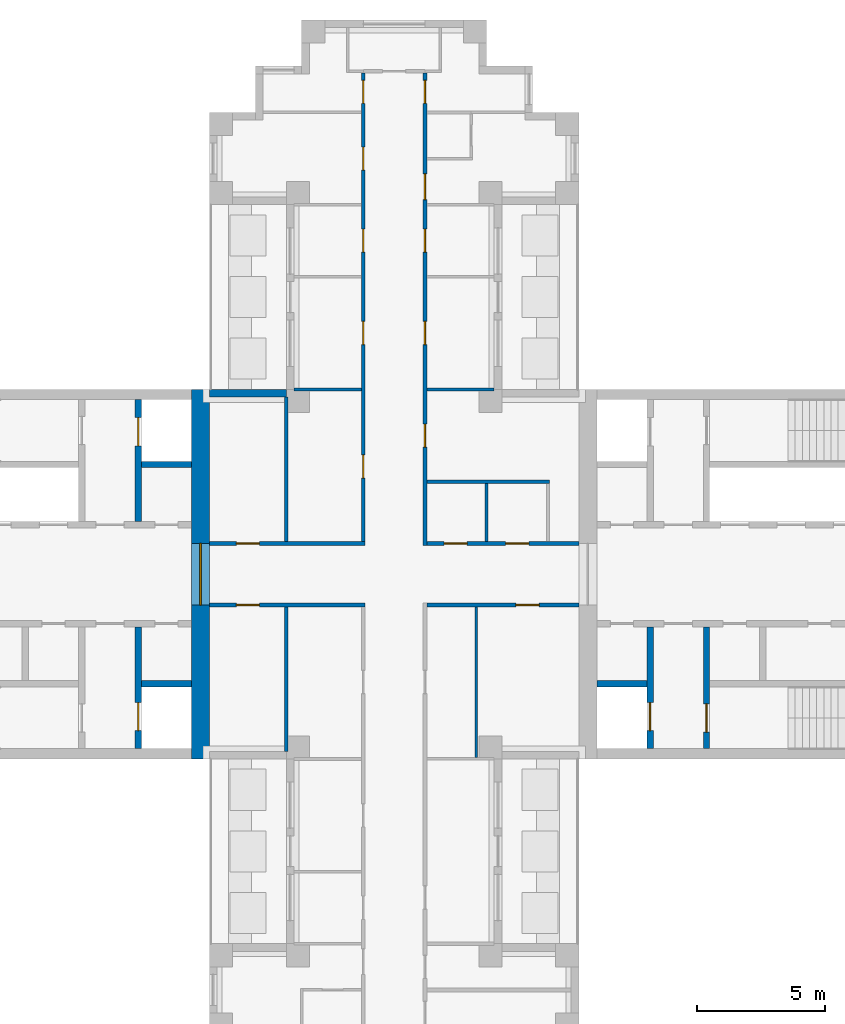
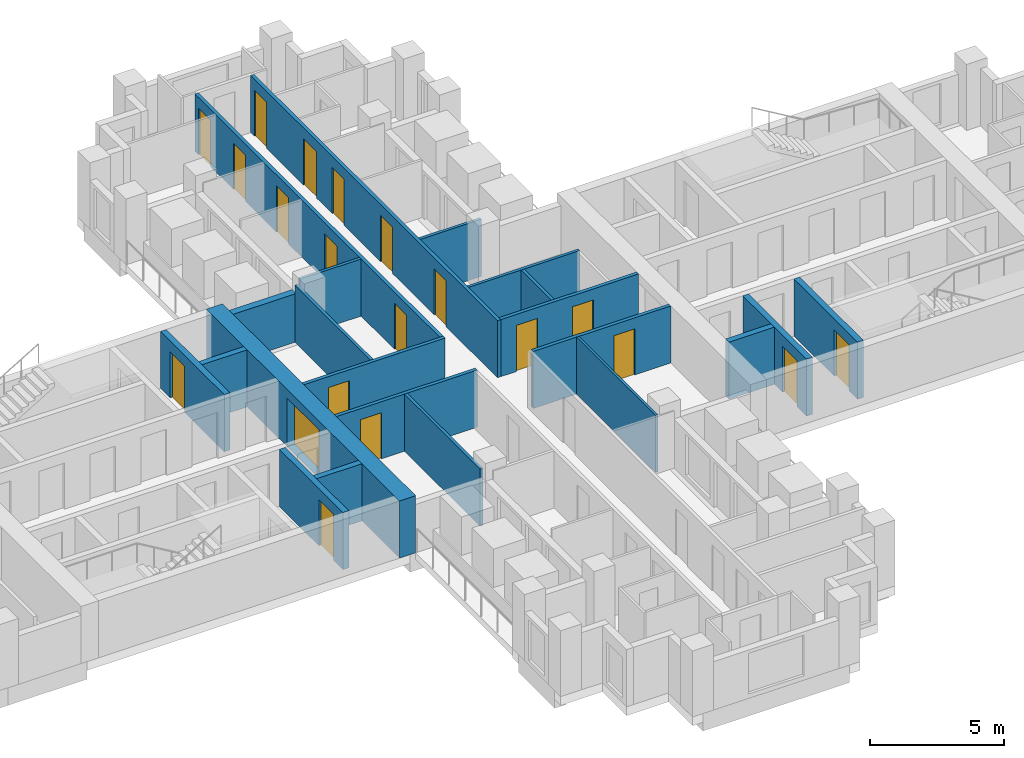
# One storey, part 5 of 10: 22 walls, 20 doors, 20 openings.
"""IFC4 building model written with IfcOpenShell, lengths in metres."""

from ifc_helpers import new_model, si_unit, direction, frame, frame_2d, origin, place, context, subcontext, project, spatial, rectangle, extrude, material, layer, layer_set, type_object, element, fill, save


model = new_model("IFC4")

# Units and contexts
model_context = context("Model", 3, precision=1e-05, world=origin(), true_north=direction((0.0, 1.0)))
body_context = subcontext(model_context, "Body", "Model", "MODEL_VIEW")
ifc_project = project(units=[si_unit("LENGTHUNIT", "METRE"), si_unit("AREAUNIT", "SQUARE_METRE"), si_unit("VOLUMEUNIT", "CUBIC_METRE"), si_unit("PLANEANGLEUNIT", "RADIAN"), si_unit("MASSUNIT", "GRAM", prefix="KILO")], contexts=[model_context])

# Site, building, storey
site_placement = place(None, origin())
site = spatial("IfcSite", under=ifc_project, at=site_placement, CompositionType="ELEMENT")
building_placement = place(site_placement, origin())
building = spatial("IfcBuilding", under=site, at=building_placement, Name="Fustian Cross Tower", CompositionType="ELEMENT")
storey_placement = place(building_placement, frame((0.0, 0.0, 182.699951171875)))
storey = spatial("IfcBuildingStorey", under=building, at=storey_placement, Name="L57", CompositionType="ELEMENT", Elevation=182.699951171875)

# Wall, opening, door
ifc_material_1 = material(Name="Plasterboard on steel stud", Category="steel")
ifc_layer_1 = layer(ifc_material_1, 0.14990234375)
ifc_layer_set_1 = layer_set([ifc_layer_1], Name="Plasterboard on steel stud")
wall_type_1 = type_object("IfcWallType", Name="COMPARTMENT WALL 150 EI 60", PredefinedType="PARTITIONING", material=ifc_layer_set_1)
wall_1_placement = place(storey_placement, frame((-7.199951171875, -1.199951171875, 0.0), z_axis=(0.0, 0.0, 1.0), x_axis=(1.0, 0.0, 0.0)))
wall_1 = element("IfcWall", 1, at=wall_1_placement, inside=storey, type_object=wall_type_1, Name="Partition 13", PredefinedType="PARTITIONING", context=body_context, shape_type="SweptSolid", body=[
    extrude(rectangle(XDim=6.074951171875, YDim=0.14990234375, at=frame_2d((3.03759765625, 0.0))), origin(), (0.0, 0.0, 1.0), 2.60009765625),
])
opening_1_placement = place(wall_1_placement, frame((1.050048828125, 0.0, 0.0)))
opening_1 = element("IfcOpeningElement", 2, at=opening_1_placement, cuts=wall_1, Name="Opening D26009", PredefinedType="OPENING", context=body_context, shape_type="SweptSolid", body=[
    extrude(rectangle(XDim=0.89990234375, YDim=2.10009765625, at=frame_2d((0.449951171875, 1.050048828125))), frame((0.0, 0.0849609375, 0.0), z_axis=(0.0, -1.0, 0.0), x_axis=(1.0, 0.0, 0.0)), (0.0, 0.0, 1.0), 0.169921875),
])
ifc_material_2 = material(Name="Timber fire door set", Category="wood")
door_type_1 = type_object("IfcDoorType", Name="FIRE SWING DOOR 900 FD30S", OperationType="SINGLE_SWING_LEFT", PredefinedType="DOOR", material=ifc_material_2)
door_1_placement = place(opening_1_placement, frame((0.89990234375, 0.0, 0.0), z_axis=(0.0, 0.0, 1.0), x_axis=(-1.0, 0.0, 0.0)))
door_1 = element("IfcDoor", 3, at=door_1_placement, inside=storey, type_object=door_type_1, Name="Door D26009", OperationType="SINGLE_SWING_LEFT", OverallHeight=2.10009765625, OverallWidth=0.89990234375, PredefinedType="DOOR", context=body_context, shape_type="SweptSolid", body=[
    extrude(rectangle(XDim=0.89990234375, YDim=2.10009765625, at=frame_2d((0.449951171875, 1.050048828125))), frame((0.0, 0.02490234375, 0.0), z_axis=(0.0, -1.0, 0.0), x_axis=(1.0, 0.0, 0.0)), (0.0, 0.0, 1.0), 0.050048828125),
])
fill(opening_1, door_1)

wall_2_placement = place(storey_placement, frame((-7.199951171875, 1.199951171875, 0.0), z_axis=(0.0, 0.0, 1.0), x_axis=(1.0, 0.0, 0.0)))
wall_2 = element("IfcWall", 4, at=wall_2_placement, inside=storey, type_object=wall_type_1, Name="Partition 14", PredefinedType="PARTITIONING", context=body_context, shape_type="SweptSolid", body=[
    extrude(rectangle(XDim=6.074951171875, YDim=0.14990234375, at=frame_2d((3.03759765625, 0.0))), origin(), (0.0, 0.0, 1.0), 2.60009765625),
])
opening_2_placement = place(wall_2_placement, frame((1.050048828125, 0.0, 0.0)))
opening_2 = element("IfcOpeningElement", 5, at=opening_2_placement, cuts=wall_2, Name="Opening D26005", PredefinedType="OPENING", context=body_context, shape_type="SweptSolid", body=[
    extrude(rectangle(XDim=0.89990234375, YDim=2.10009765625, at=frame_2d((0.449951171875, 1.050048828125))), frame((0.0, 0.0849609375, 0.0), z_axis=(0.0, -1.0, 0.0), x_axis=(1.0, 0.0, 0.0)), (0.0, 0.0, 1.0), 0.169921875),
])
door_2_placement = place(opening_2_placement, origin())
door_2 = element("IfcDoor", 6, at=door_2_placement, inside=storey, type_object=door_type_1, Name="Door D26005", OperationType="SINGLE_SWING_RIGHT", OverallHeight=2.10009765625, OverallWidth=0.89990234375, PredefinedType="DOOR", context=body_context, shape_type="SweptSolid", body=[
    extrude(rectangle(XDim=0.89990234375, YDim=2.10009765625, at=frame_2d((0.449951171875, 1.050048828125))), frame((0.0, 0.02490234375, 0.0), z_axis=(0.0, -1.0, 0.0), x_axis=(1.0, 0.0, 0.0)), (0.0, 0.0, 1.0), 0.050048828125),
])
fill(opening_2, door_2)

# Wall, openings, doors
wall_3_placement = place(storey_placement, frame((-1.199951171875, 1.27490234375, 0.0), z_axis=(0.0, 0.0, 1.0), x_axis=(0.0, 1.0, 0.0)))
wall_3 = element("IfcWall", 7, at=wall_3_placement, inside=storey, type_object=wall_type_1, Name="Partition 33", PredefinedType="PARTITIONING", context=body_context, shape_type="SweptSolid", body=[
    extrude(rectangle(XDim=18.25, YDim=0.14990234375, at=frame_2d((9.125, 0.0))), origin(), (0.0, 0.0, 1.0), 2.60009765625),
])
opening_3_placement = place(wall_3_placement, frame((2.47509765625, 0.0, 0.0)))
opening_3 = element("IfcOpeningElement", 8, at=opening_3_placement, cuts=wall_3, Name="Opening D26004", PredefinedType="OPENING", context=body_context, shape_type="SweptSolid", body=[
    extrude(rectangle(XDim=0.89990234375, YDim=2.10009765625, at=frame_2d((0.449951171875, 1.050048828125))), frame((0.0, 0.0849609375, 0.0), z_axis=(0.0, -1.0, 0.0), x_axis=(1.0, 0.0, 0.0)), (0.0, 0.0, 1.0), 0.169921875),
])
opening_4_placement = place(wall_3_placement, frame((11.27490234375, 0.0, 0.0)))
opening_4 = element("IfcOpeningElement", 9, at=opening_4_placement, cuts=wall_3, Name="Opening D26018", PredefinedType="OPENING", context=body_context, shape_type="SweptSolid", body=[
    extrude(rectangle(XDim=0.89990234375, YDim=2.10009765625, at=frame_2d((0.449951171875, 1.050048828125))), frame((0.0, 0.0849609375, 0.0), z_axis=(0.0, -1.0, 0.0), x_axis=(1.0, 0.0, 0.0)), (0.0, 0.0, 1.0), 0.169921875),
])
opening_5_placement = place(wall_3_placement, frame((7.675048828125, 0.0, 0.0)))
opening_5 = element("IfcOpeningElement", 10, at=opening_5_placement, cuts=wall_3, Name="Opening D26019", PredefinedType="OPENING", context=body_context, shape_type="SweptSolid", body=[
    extrude(rectangle(XDim=0.89990234375, YDim=2.10009765625, at=frame_2d((0.449951171875, 1.050048828125))), frame((0.0, 0.0849609375, 0.0), z_axis=(0.0, -1.0, 0.0), x_axis=(1.0, 0.0, 0.0)), (0.0, 0.0, 1.0), 0.169921875),
])
opening_6_placement = place(wall_3_placement, frame((14.47509765625, 0.0, 0.0)))
opening_6 = element("IfcOpeningElement", 11, at=opening_6_placement, cuts=wall_3, Name="Opening D26020", PredefinedType="OPENING", context=body_context, shape_type="SweptSolid", body=[
    extrude(rectangle(XDim=0.89990234375, YDim=2.10009765625, at=frame_2d((0.449951171875, 1.050048828125))), frame((0.0, 0.0849609375, 0.0), z_axis=(0.0, -1.0, 0.0), x_axis=(1.0, 0.0, 0.0)), (0.0, 0.0, 1.0), 0.169921875),
])
opening_7_placement = place(wall_3_placement, frame((17.074951171875, 0.0, 0.0)))
opening_7 = element("IfcOpeningElement", 12, at=opening_7_placement, cuts=wall_3, Name="Opening D26021", PredefinedType="OPENING", context=body_context, shape_type="SweptSolid", body=[
    extrude(rectangle(XDim=0.89990234375, YDim=2.10009765625, at=frame_2d((0.449951171875, 1.050048828125))), frame((0.0, 0.0849609375, 0.0), z_axis=(0.0, -1.0, 0.0), x_axis=(1.0, 0.0, 0.0)), (0.0, 0.0, 1.0), 0.169921875),
])
door_3_placement = place(opening_3_placement, origin())
door_3 = element("IfcDoor", 13, at=door_3_placement, inside=storey, type_object=door_type_1, Name="Door D26004", OperationType="SINGLE_SWING_LEFT", OverallHeight=2.10009765625, OverallWidth=0.89990234375, PredefinedType="DOOR", context=body_context, shape_type="SweptSolid", body=[
    extrude(rectangle(XDim=0.89990234375, YDim=2.10009765625, at=frame_2d((0.449951171875, 1.050048828125))), frame((0.0, 0.02490234375, 0.0), z_axis=(0.0, -1.0, 0.0), x_axis=(1.0, 0.0, 0.0)), (0.0, 0.0, 1.0), 0.050048828125),
])
fill(opening_3, door_3)
door_4_placement = place(opening_4_placement, origin())
door_4 = element("IfcDoor", 14, at=door_4_placement, inside=storey, type_object=door_type_1, Name="Door D26018", OperationType="SINGLE_SWING_LEFT", OverallHeight=2.10009765625, OverallWidth=0.89990234375, PredefinedType="DOOR", context=body_context, shape_type="SweptSolid", body=[
    extrude(rectangle(XDim=0.89990234375, YDim=2.10009765625, at=frame_2d((0.449951171875, 1.050048828125))), frame((0.0, 0.02490234375, 0.0), z_axis=(0.0, -1.0, 0.0), x_axis=(1.0, 0.0, 0.0)), (0.0, 0.0, 1.0), 0.050048828125),
])
fill(opening_4, door_4)
door_5_placement = place(opening_5_placement, origin())
door_5 = element("IfcDoor", 15, at=door_5_placement, inside=storey, type_object=door_type_1, Name="Door D26019", OperationType="SINGLE_SWING_LEFT", OverallHeight=2.10009765625, OverallWidth=0.89990234375, PredefinedType="DOOR", context=body_context, shape_type="SweptSolid", body=[
    extrude(rectangle(XDim=0.89990234375, YDim=2.10009765625, at=frame_2d((0.449951171875, 1.050048828125))), frame((0.0, 0.02490234375, 0.0), z_axis=(0.0, -1.0, 0.0), x_axis=(1.0, 0.0, 0.0)), (0.0, 0.0, 1.0), 0.050048828125),
])
fill(opening_5, door_5)
door_6_placement = place(opening_6_placement, origin())
door_6 = element("IfcDoor", 16, at=door_6_placement, inside=storey, type_object=door_type_1, Name="Door D26020", OperationType="SINGLE_SWING_LEFT", OverallHeight=2.10009765625, OverallWidth=0.89990234375, PredefinedType="DOOR", context=body_context, shape_type="SweptSolid", body=[
    extrude(rectangle(XDim=0.89990234375, YDim=2.10009765625, at=frame_2d((0.449951171875, 1.050048828125))), frame((0.0, 0.02490234375, 0.0), z_axis=(0.0, -1.0, 0.0), x_axis=(1.0, 0.0, 0.0)), (0.0, 0.0, 1.0), 0.050048828125),
])
fill(opening_6, door_6)
door_7_placement = place(opening_7_placement, origin())
door_7 = element("IfcDoor", 17, at=door_7_placement, inside=storey, type_object=door_type_1, Name="Door D26021", OperationType="SINGLE_SWING_LEFT", OverallHeight=2.10009765625, OverallWidth=0.89990234375, PredefinedType="DOOR", context=body_context, shape_type="SweptSolid", body=[
    extrude(rectangle(XDim=0.89990234375, YDim=2.10009765625, at=frame_2d((0.449951171875, 1.050048828125))), frame((0.0, 0.02490234375, 0.0), z_axis=(0.0, -1.0, 0.0), x_axis=(1.0, 0.0, 0.0)), (0.0, 0.0, 1.0), 0.050048828125),
])
fill(opening_7, door_7)

# Wall, opening, door
wall_4_placement = place(storey_placement, frame((1.27490234375, -1.199951171875, 0.0), z_axis=(0.0, 0.0, 1.0), x_axis=(1.0, 0.0, 0.0)))
wall_4 = element("IfcWall", 18, at=wall_4_placement, inside=storey, type_object=wall_type_1, Name="Partition 41", PredefinedType="PARTITIONING", context=body_context, shape_type="SweptSolid", body=[
    extrude(rectangle(XDim=5.925048828125, YDim=0.14990234375, at=frame_2d((2.96240234375, 0.0))), origin(), (0.0, 0.0, 1.0), 2.60009765625),
])
opening_8_placement = place(wall_4_placement, frame((3.47509765625, 0.0, 0.0)))
opening_8 = element("IfcOpeningElement", 19, at=opening_8_placement, cuts=wall_4, Name="Opening D26007", PredefinedType="OPENING", context=body_context, shape_type="SweptSolid", body=[
    extrude(rectangle(XDim=0.89990234375, YDim=2.10009765625, at=frame_2d((0.449951171875, 1.050048828125))), frame((0.0, 0.0849609375, 0.0), z_axis=(0.0, -1.0, 0.0), x_axis=(1.0, 0.0, 0.0)), (0.0, 0.0, 1.0), 0.169921875),
])
door_8_placement = place(opening_8_placement, frame((0.89990234375, 0.0, 0.0), z_axis=(0.0, 0.0, 1.0), x_axis=(-1.0, 0.0, 0.0)))
door_8 = element("IfcDoor", 20, at=door_8_placement, inside=storey, type_object=door_type_1, Name="Door D26007", OperationType="SINGLE_SWING_RIGHT", OverallHeight=2.10009765625, OverallWidth=0.89990234375, PredefinedType="DOOR", context=body_context, shape_type="SweptSolid", body=[
    extrude(rectangle(XDim=0.89990234375, YDim=2.10009765625, at=frame_2d((0.449951171875, 1.050048828125))), frame((0.0, 0.02490234375, 0.0), z_axis=(0.0, -1.0, 0.0), x_axis=(1.0, 0.0, 0.0)), (0.0, 0.0, 1.0), 0.050048828125),
])
fill(opening_8, door_8)

# Wall, openings, doors
wall_5_placement = place(storey_placement, frame((1.199951171875, 1.125, 0.0), z_axis=(0.0, 0.0, 1.0), x_axis=(0.0, 1.0, 0.0)))
wall_5 = element("IfcWall", 21, at=wall_5_placement, inside=storey, type_object=wall_type_1, Name="Partition 42", PredefinedType="PARTITIONING", context=body_context, shape_type="SweptSolid", body=[
    extrude(rectangle(XDim=18.39990234375, YDim=0.14990234375, at=frame_2d((9.199951171875, 0.0))), origin(), (0.0, 0.0, 1.0), 2.60009765625),
])
opening_9_placement = place(wall_5_placement, frame((3.824951171875, 0.0, 0.0)))
opening_9 = element("IfcOpeningElement", 22, at=opening_9_placement, cuts=wall_5, Name="Opening D26003", PredefinedType="OPENING", context=body_context, shape_type="SweptSolid", body=[
    extrude(rectangle(XDim=0.89990234375, YDim=2.10009765625, at=frame_2d((0.449951171875, 1.050048828125))), frame((0.0, 0.0849609375, 0.0), z_axis=(0.0, -1.0, 0.0), x_axis=(1.0, 0.0, 0.0)), (0.0, 0.0, 1.0), 0.169921875),
])
opening_10_placement = place(wall_5_placement, frame((11.425048828125, 0.0, 0.0)))
opening_10 = element("IfcOpeningElement", 23, at=opening_10_placement, cuts=wall_5, Name="Opening D26022", PredefinedType="OPENING", context=body_context, shape_type="SweptSolid", body=[
    extrude(rectangle(XDim=0.89990234375, YDim=2.10009765625, at=frame_2d((0.449951171875, 1.050048828125))), frame((0.0, 0.0849609375, 0.0), z_axis=(0.0, -1.0, 0.0), x_axis=(1.0, 0.0, 0.0)), (0.0, 0.0, 1.0), 0.169921875),
])
opening_11_placement = place(wall_5_placement, frame((7.824951171875, 0.0, 0.0)))
opening_11 = element("IfcOpeningElement", 24, at=opening_11_placement, cuts=wall_5, Name="Opening D26023", PredefinedType="OPENING", context=body_context, shape_type="SweptSolid", body=[
    extrude(rectangle(XDim=0.89990234375, YDim=2.10009765625, at=frame_2d((0.449951171875, 1.050048828125))), frame((0.0, 0.0849609375, 0.0), z_axis=(0.0, -1.0, 0.0), x_axis=(1.0, 0.0, 0.0)), (0.0, 0.0, 1.0), 0.169921875),
])
opening_12_placement = place(wall_5_placement, frame((13.47509765625, 0.0, 0.0)))
opening_12 = element("IfcOpeningElement", 25, at=opening_12_placement, cuts=wall_5, Name="Opening D26025", PredefinedType="OPENING", context=body_context, shape_type="SweptSolid", body=[
    extrude(rectangle(XDim=1.0, YDim=2.10009765625, at=frame_2d((0.5, 1.050048828125))), frame((0.0, 0.0849609375, 0.0), z_axis=(0.0, -1.0, 0.0), x_axis=(1.0, 0.0, 0.0)), (0.0, 0.0, 1.0), 0.169921875),
])
opening_13_placement = place(wall_5_placement, frame((17.22509765625, 0.0, 0.0)))
opening_13 = element("IfcOpeningElement", 26, at=opening_13_placement, cuts=wall_5, Name="Opening D26026", PredefinedType="OPENING", context=body_context, shape_type="SweptSolid", body=[
    extrude(rectangle(XDim=0.89990234375, YDim=2.10009765625, at=frame_2d((0.449951171875, 1.050048828125))), frame((0.0, 0.0849609375, 0.0), z_axis=(0.0, -1.0, 0.0), x_axis=(1.0, 0.0, 0.0)), (0.0, 0.0, 1.0), 0.169921875),
])
ifc_material_3 = material(Name="Timber fire door set", Category="wood")
door_type_2 = type_object("IfcDoorType", Name="FIRE SWING DOOR 1000 FD30S", OperationType="SINGLE_SWING_LEFT", PredefinedType="DOOR", material=ifc_material_3)
door_9_placement = place(opening_12_placement, frame((1.0, 0.0, 0.0), z_axis=(0.0, 0.0, 1.0), x_axis=(-1.0, 0.0, 0.0)))
door_9 = element("IfcDoor", 27, at=door_9_placement, inside=storey, type_object=door_type_2, Name="Door D26025", OperationType="SINGLE_SWING_RIGHT", OverallHeight=2.10009765625, OverallWidth=1.0, PredefinedType="DOOR", context=body_context, shape_type="SweptSolid", body=[
    extrude(rectangle(XDim=1.0, YDim=2.10009765625, at=frame_2d((0.5, 1.050048828125))), frame((0.0, 0.02490234375, 0.0), z_axis=(0.0, -1.0, 0.0), x_axis=(1.0, 0.0, 0.0)), (0.0, 0.0, 1.0), 0.050048828125),
])
fill(opening_12, door_9)
door_10_placement = place(opening_9_placement, frame((0.89990234375, 0.0, 0.0), z_axis=(0.0, 0.0, 1.0), x_axis=(-1.0, 0.0, 0.0)))
door_10 = element("IfcDoor", 28, at=door_10_placement, inside=storey, type_object=door_type_1, Name="Door D26003", OperationType="SINGLE_SWING_RIGHT", OverallHeight=2.10009765625, OverallWidth=0.89990234375, PredefinedType="DOOR", context=body_context, shape_type="SweptSolid", body=[
    extrude(rectangle(XDim=0.89990234375, YDim=2.10009765625, at=frame_2d((0.449951171875, 1.050048828125))), frame((0.0, 0.02490234375, 0.0), z_axis=(0.0, -1.0, 0.0), x_axis=(1.0, 0.0, 0.0)), (0.0, 0.0, 1.0), 0.050048828125),
])
fill(opening_9, door_10)
door_11_placement = place(opening_10_placement, frame((0.89990234375, 0.0, 0.0), z_axis=(0.0, 0.0, 1.0), x_axis=(-1.0, 0.0, 0.0)))
door_11 = element("IfcDoor", 29, at=door_11_placement, inside=storey, type_object=door_type_1, Name="Door D26022", OperationType="SINGLE_SWING_RIGHT", OverallHeight=2.10009765625, OverallWidth=0.89990234375, PredefinedType="DOOR", context=body_context, shape_type="SweptSolid", body=[
    extrude(rectangle(XDim=0.89990234375, YDim=2.10009765625, at=frame_2d((0.449951171875, 1.050048828125))), frame((0.0, 0.02490234375, 0.0), z_axis=(0.0, -1.0, 0.0), x_axis=(1.0, 0.0, 0.0)), (0.0, 0.0, 1.0), 0.050048828125),
])
fill(opening_10, door_11)
door_12_placement = place(opening_11_placement, frame((0.89990234375, 0.0, 0.0), z_axis=(0.0, 0.0, 1.0), x_axis=(-1.0, 0.0, 0.0)))
door_12 = element("IfcDoor", 30, at=door_12_placement, inside=storey, type_object=door_type_1, Name="Door D26023", OperationType="SINGLE_SWING_RIGHT", OverallHeight=2.10009765625, OverallWidth=0.89990234375, PredefinedType="DOOR", context=body_context, shape_type="SweptSolid", body=[
    extrude(rectangle(XDim=0.89990234375, YDim=2.10009765625, at=frame_2d((0.449951171875, 1.050048828125))), frame((0.0, 0.02490234375, 0.0), z_axis=(0.0, -1.0, 0.0), x_axis=(1.0, 0.0, 0.0)), (0.0, 0.0, 1.0), 0.050048828125),
])
fill(opening_11, door_12)
door_13_placement = place(opening_13_placement, frame((0.89990234375, 0.0, 0.0), z_axis=(0.0, 0.0, 1.0), x_axis=(-1.0, 0.0, 0.0)))
door_13 = element("IfcDoor", 31, at=door_13_placement, inside=storey, type_object=door_type_1, Name="Door D26026", OperationType="SINGLE_SWING_RIGHT", OverallHeight=2.10009765625, OverallWidth=0.89990234375, PredefinedType="DOOR", context=body_context, shape_type="SweptSolid", body=[
    extrude(rectangle(XDim=0.89990234375, YDim=2.10009765625, at=frame_2d((0.449951171875, 1.050048828125))), frame((0.0, 0.02490234375, 0.0), z_axis=(0.0, -1.0, 0.0), x_axis=(1.0, 0.0, 0.0)), (0.0, 0.0, 1.0), 0.050048828125),
])
fill(opening_13, door_13)

wall_6_placement = place(storey_placement, frame((1.27490234375, 1.199951171875, 0.0), z_axis=(0.0, 0.0, 1.0), x_axis=(1.0, 0.0, 0.0)))
wall_6 = element("IfcWall", 32, at=wall_6_placement, inside=storey, type_object=wall_type_1, Name="Partition 43", PredefinedType="PARTITIONING", context=body_context, shape_type="SweptSolid", body=[
    extrude(rectangle(XDim=5.925048828125, YDim=0.14990234375, at=frame_2d((2.96240234375, 0.0))), origin(), (0.0, 0.0, 1.0), 2.60009765625),
])
opening_14_placement = place(wall_6_placement, frame((0.675048828125, 0.0, 0.0)))
opening_14 = element("IfcOpeningElement", 33, at=opening_14_placement, cuts=wall_6, Name="Opening D26001", PredefinedType="OPENING", context=body_context, shape_type="SweptSolid", body=[
    extrude(rectangle(XDim=0.89990234375, YDim=2.10009765625, at=frame_2d((0.449951171875, 1.050048828125))), frame((0.0, 0.0849609375, 0.0), z_axis=(0.0, -1.0, 0.0), x_axis=(1.0, 0.0, 0.0)), (0.0, 0.0, 1.0), 0.169921875),
])
opening_15_placement = place(wall_6_placement, frame((3.074951171875, 0.0, 0.0)))
opening_15 = element("IfcOpeningElement", 34, at=opening_15_placement, cuts=wall_6, Name="Opening D26002", PredefinedType="OPENING", context=body_context, shape_type="SweptSolid", body=[
    extrude(rectangle(XDim=0.89990234375, YDim=2.10009765625, at=frame_2d((0.449951171875, 1.050048828125))), frame((0.0, 0.0849609375, 0.0), z_axis=(0.0, -1.0, 0.0), x_axis=(1.0, 0.0, 0.0)), (0.0, 0.0, 1.0), 0.169921875),
])
door_14_placement = place(opening_14_placement, origin())
door_14 = element("IfcDoor", 35, at=door_14_placement, inside=storey, type_object=door_type_1, Name="Door D26001", OperationType="SINGLE_SWING_LEFT", OverallHeight=2.10009765625, OverallWidth=0.89990234375, PredefinedType="DOOR", context=body_context, shape_type="SweptSolid", body=[
    extrude(rectangle(XDim=0.89990234375, YDim=2.10009765625, at=frame_2d((0.449951171875, 1.050048828125))), frame((0.0, 0.02490234375, 0.0), z_axis=(0.0, -1.0, 0.0), x_axis=(1.0, 0.0, 0.0)), (0.0, 0.0, 1.0), 0.050048828125),
])
fill(opening_14, door_14)
door_15_placement = place(opening_15_placement, origin())
door_15 = element("IfcDoor", 36, at=door_15_placement, inside=storey, type_object=door_type_1, Name="Door D26002", OperationType="SINGLE_SWING_LEFT", OverallHeight=2.10009765625, OverallWidth=0.89990234375, PredefinedType="DOOR", context=body_context, shape_type="SweptSolid", body=[
    extrude(rectangle(XDim=0.89990234375, YDim=2.10009765625, at=frame_2d((0.449951171875, 1.050048828125))), frame((0.0, 0.02490234375, 0.0), z_axis=(0.0, -1.0, 0.0), x_axis=(1.0, 0.0, 0.0)), (0.0, 0.0, 1.0), 0.050048828125),
])
fill(opening_15, door_15)

# Wall, opening, door
ifc_material_4 = material(Name="Concrete C50/60", Category="concrete")
ifc_layer_2 = layer(ifc_material_4, 0.699951171875)
ifc_layer_set_2 = layer_set([ifc_layer_2], Name="Concrete C50/60")
wall_type_2 = type_object("IfcWallType", Name="CORE END WALL 700 C50/60", PredefinedType="SHEAR", material=ifc_layer_set_2)
wall_7_placement = place(storey_placement, frame((-7.550048828125, -7.199951171875, 0.0), z_axis=(0.0, 0.0, 1.0), x_axis=(0.0, 1.0, 0.0)))
wall_7 = element("IfcWall", 37, at=wall_7_placement, inside=storey, type_object=wall_type_2, Name="Core end wall", PredefinedType="SHEAR", context=body_context, shape_type="SweptSolid", body=[
    extrude(rectangle(XDim=14.39990234375, YDim=0.699951171875, at=frame_2d((7.199951171875, 0.0))), origin(), (0.0, 0.0, 1.0), 2.60009765625),
])
opening_16_placement = place(wall_7_placement, frame((6.0, 0.0, 0.0)))
opening_16 = element("IfcOpeningElement", 38, at=opening_16_placement, cuts=wall_7, Name="Opening CD-23-29", PredefinedType="OPENING", context=body_context, shape_type="SweptSolid", body=[
    extrude(rectangle(XDim=2.39990234375, YDim=2.199951171875, at=frame_2d((1.199951171875, 1.10009765625))), frame((0.0, 0.35986328125, 0.0), z_axis=(0.0, -1.0, 0.0), x_axis=(1.0, 0.0, 0.0)), (0.0, 0.0, 1.0), 0.719970703125),
])
ifc_material_5 = material(Name="Steel", Category="steel")
door_type_3 = type_object("IfcDoorType", Name="FIRE DOOR FD30S DOUBLE 2400X2200", OperationType="DOUBLE_DOOR_DOUBLE_SWING", PredefinedType="DOOR", material=ifc_material_5)
door_16_placement = place(opening_16_placement, origin())
door_16 = element("IfcDoor", 39, at=door_16_placement, inside=storey, type_object=door_type_3, Name="Core door CD-23-29", OperationType="DOUBLE_DOOR_DOUBLE_SWING", OverallHeight=2.199951171875, OverallWidth=2.39990234375, PredefinedType="DOOR", context=body_context, shape_type="SweptSolid", body=[
    extrude(rectangle(XDim=2.39990234375, YDim=2.199951171875, at=frame_2d((1.199951171875, 1.10009765625))), frame((0.0, 0.02490234375, 0.0), z_axis=(0.0, -1.0, 0.0), x_axis=(1.0, 0.0, 0.0)), (0.0, 0.0, 1.0), 0.050048828125),
])
fill(opening_16, door_16)

# Wall
ifc_material_6 = material(Name="Concrete C50/60", Category="concrete")
ifc_layer_3 = layer(ifc_material_6, 0.25)
ifc_layer_set_3 = layer_set([ifc_layer_3], Name="Concrete C50/60")
wall_type_3 = type_object("IfcWallType", Name="CORE SHAFT WALL 250 C50/60", PredefinedType="SHEAR", material=ifc_layer_set_3)
wall_8_placement = place(storey_placement, frame((7.89990234375, -4.27490234375, 0.0), z_axis=(0.0, 0.0, 1.0), x_axis=(1.0, 0.0, 0.0)))
element("IfcWall", 40, at=wall_8_placement, inside=storey, type_object=wall_type_3, Name="Core shaft wall", PredefinedType="SHEAR", context=body_context, shape_type="SweptSolid", body=[
    extrude(rectangle(XDim=1.9501953125, YDim=0.25, at=frame_2d((0.97509765625, 0.0))), origin(), (0.0, 0.0, 1.0), 2.60009765625),
])

# Wall, opening, door
wall_9_placement = place(storey_placement, frame((9.97509765625, -2.050048828125, 0.0), z_axis=(0.0, 0.0, 1.0), x_axis=(0.0, -1.0, 0.0)))
wall_9 = element("IfcWall", 41, at=wall_9_placement, inside=storey, type_object=wall_type_3, Name="Core shaft wall", PredefinedType="SHEAR", context=body_context, shape_type="SweptSolid", body=[
    extrude(rectangle(XDim=4.75, YDim=0.25, at=frame_2d((2.375, 0.0))), origin(), (0.0, 0.0, 1.0), 2.60009765625),
])
opening_17_placement = place(wall_9_placement, frame((2.949951171875, 0.0, 0.0)))
opening_17 = element("IfcOpeningElement", 42, at=opening_17_placement, cuts=wall_9, Name="Opening LD", PredefinedType="OPENING", context=body_context, shape_type="SweptSolid", body=[
    extrude(rectangle(XDim=1.10009765625, YDim=2.10009765625, at=frame_2d((0.550048828125, 1.050048828125))), frame((0.0, 0.135009765625, 0.0), z_axis=(0.0, -1.0, 0.0), x_axis=(1.0, 0.0, 0.0)), (0.0, 0.0, 1.0), 0.27001953125),
])
ifc_material_7 = material(Name="Stainless steel", Category="steel")
door_type_4 = type_object("IfcDoorType", Name="LIFT LANDING DOOR 1100X2100", OperationType="SLIDING_TO_LEFT", PredefinedType="DOOR", material=ifc_material_7)
door_17_placement = place(opening_17_placement, origin())
door_17 = element("IfcDoor", 43, at=door_17_placement, inside=storey, type_object=door_type_4, Name="Landing door SV1", OperationType="SLIDING_TO_LEFT", OverallHeight=2.10009765625, OverallWidth=1.10009765625, PredefinedType="DOOR", context=body_context, shape_type="SweptSolid", body=[
    extrude(rectangle(XDim=1.10009765625, YDim=2.10009765625, at=frame_2d((0.550048828125, 1.050048828125))), frame((0.0, 0.02490234375, 0.0), z_axis=(0.0, -1.0, 0.0), x_axis=(1.0, 0.0, 0.0)), (0.0, 0.0, 1.0), 0.050048828125),
])
fill(opening_17, door_17)

wall_10_placement = place(storey_placement, frame((12.175048828125, -2.050048828125, 0.0), z_axis=(0.0, 0.0, 1.0), x_axis=(0.0, -1.0, 0.0)))
wall_10 = element("IfcWall", 44, at=wall_10_placement, inside=storey, type_object=wall_type_3, Name="Core shaft wall", PredefinedType="SHEAR", context=body_context, shape_type="SweptSolid", body=[
    extrude(rectangle(XDim=4.75, YDim=0.25, at=frame_2d((2.375, 0.0))), origin(), (0.0, 0.0, 1.0), 2.60009765625),
])
opening_18_placement = place(wall_10_placement, frame((3.0, 0.0, 0.0)))
opening_18 = element("IfcOpeningElement", 45, at=opening_18_placement, cuts=wall_10, Name="Opening CD-23-07", PredefinedType="OPENING", context=body_context, shape_type="SweptSolid", body=[
    extrude(rectangle(XDim=1.10009765625, YDim=2.10009765625, at=frame_2d((0.550048828125, 1.050048828125))), frame((0.0, 0.135009765625, 0.0), z_axis=(0.0, -1.0, 0.0), x_axis=(1.0, 0.0, 0.0)), (0.0, 0.0, 1.0), 0.27001953125),
])
ifc_material_8 = material(Name="Steel", Category="steel")
door_type_5 = type_object("IfcDoorType", Name="FIRE DOOR FD60S 1100X2100", OperationType="SINGLE_SWING_LEFT", PredefinedType="DOOR", material=ifc_material_8)
door_18_placement = place(opening_18_placement, origin())
door_18 = element("IfcDoor", 46, at=door_18_placement, inside=storey, type_object=door_type_5, Name="Core door CD-23-07", OperationType="SINGLE_SWING_LEFT", OverallHeight=2.10009765625, OverallWidth=1.10009765625, PredefinedType="DOOR", context=body_context, shape_type="SweptSolid", body=[
    extrude(rectangle(XDim=1.10009765625, YDim=2.10009765625, at=frame_2d((0.550048828125, 1.050048828125))), frame((0.0, 0.02490234375, 0.0), z_axis=(0.0, -1.0, 0.0), x_axis=(1.0, 0.0, 0.0)), (0.0, 0.0, 1.0), 0.050048828125),
])
fill(opening_18, door_18)

# Wall
wall_11_placement = place(storey_placement, frame((-7.89990234375, 4.27490234375, 0.0), z_axis=(0.0, 0.0, 1.0), x_axis=(-1.0, 0.0, 0.0)))
element("IfcWall", 47, at=wall_11_placement, inside=storey, type_object=wall_type_3, Name="Core shaft wall", PredefinedType="SHEAR", context=body_context, shape_type="SweptSolid", body=[
    extrude(rectangle(XDim=1.9501953125, YDim=0.25, at=frame_2d((0.97509765625, 0.0))), origin(), (0.0, 0.0, 1.0), 2.60009765625),
])

# Wall, opening, door
wall_12_placement = place(storey_placement, frame((-9.97509765625, 2.050048828125, 0.0), z_axis=(0.0, 0.0, 1.0), x_axis=(0.0, 1.0, 0.0)))
wall_12 = element("IfcWall", 48, at=wall_12_placement, inside=storey, type_object=wall_type_3, Name="Core shaft wall", PredefinedType="SHEAR", context=body_context, shape_type="SweptSolid", body=[
    extrude(rectangle(XDim=4.75, YDim=0.25, at=frame_2d((2.375, 0.0))), origin(), (0.0, 0.0, 1.0), 2.60009765625),
])
opening_19_placement = place(wall_12_placement, frame((2.949951171875, 0.0, 0.0)))
opening_19 = element("IfcOpeningElement", 49, at=opening_19_placement, cuts=wall_12, Name="Opening LD", PredefinedType="OPENING", context=body_context, shape_type="SweptSolid", body=[
    extrude(rectangle(XDim=1.10009765625, YDim=2.10009765625, at=frame_2d((0.550048828125, 1.050048828125))), frame((0.0, 0.135009765625, 0.0), z_axis=(0.0, -1.0, 0.0), x_axis=(1.0, 0.0, 0.0)), (0.0, 0.0, 1.0), 0.27001953125),
])
door_19_placement = place(opening_19_placement, origin())
door_19 = element("IfcDoor", 50, at=door_19_placement, inside=storey, type_object=door_type_4, Name="Landing door FL1W", OperationType="SLIDING_TO_LEFT", OverallHeight=2.10009765625, OverallWidth=1.10009765625, PredefinedType="DOOR", context=body_context, shape_type="SweptSolid", body=[
    extrude(rectangle(XDim=1.10009765625, YDim=2.10009765625, at=frame_2d((0.550048828125, 1.050048828125))), frame((0.0, 0.02490234375, 0.0), z_axis=(0.0, -1.0, 0.0), x_axis=(1.0, 0.0, 0.0)), (0.0, 0.0, 1.0), 0.050048828125),
])
fill(opening_19, door_19)

# Wall
wall_13_placement = place(storey_placement, frame((-7.89990234375, -4.27490234375, 0.0), z_axis=(0.0, 0.0, 1.0), x_axis=(-1.0, 0.0, 0.0)))
element("IfcWall", 51, at=wall_13_placement, inside=storey, type_object=wall_type_3, Name="Core shaft wall", PredefinedType="SHEAR", context=body_context, shape_type="SweptSolid", body=[
    extrude(rectangle(XDim=1.9501953125, YDim=0.25, at=frame_2d((0.97509765625, 0.0))), origin(), (0.0, 0.0, 1.0), 2.60009765625),
])

# Wall, opening, door
wall_14_placement = place(storey_placement, frame((-9.97509765625, -2.050048828125, 0.0), z_axis=(0.0, 0.0, 1.0), x_axis=(0.0, -1.0, 0.0)))
wall_14 = element("IfcWall", 52, at=wall_14_placement, inside=storey, type_object=wall_type_3, Name="Core shaft wall", PredefinedType="SHEAR", context=body_context, shape_type="SweptSolid", body=[
    extrude(rectangle(XDim=4.75, YDim=0.25, at=frame_2d((2.375, 0.0))), origin(), (0.0, 0.0, 1.0), 2.60009765625),
])
opening_20_placement = place(wall_14_placement, frame((2.949951171875, 0.0, 0.0)))
opening_20 = element("IfcOpeningElement", 53, at=opening_20_placement, cuts=wall_14, Name="Opening LD", PredefinedType="OPENING", context=body_context, shape_type="SweptSolid", body=[
    extrude(rectangle(XDim=1.10009765625, YDim=2.10009765625, at=frame_2d((0.550048828125, 1.050048828125))), frame((0.0, 0.135009765625, 0.0), z_axis=(0.0, -1.0, 0.0), x_axis=(1.0, 0.0, 0.0)), (0.0, 0.0, 1.0), 0.27001953125),
])
door_20_placement = place(opening_20_placement, origin())
door_20 = element("IfcDoor", 54, at=door_20_placement, inside=storey, type_object=door_type_4, Name="Landing door SV1W", OperationType="SLIDING_TO_LEFT", OverallHeight=2.10009765625, OverallWidth=1.10009765625, PredefinedType="DOOR", context=body_context, shape_type="SweptSolid", body=[
    extrude(rectangle(XDim=1.10009765625, YDim=2.10009765625, at=frame_2d((0.550048828125, 1.050048828125))), frame((0.0, 0.02490234375, 0.0), z_axis=(0.0, -1.0, 0.0), x_axis=(1.0, 0.0, 0.0)), (0.0, 0.0, 1.0), 0.050048828125),
])
fill(opening_20, door_20)

# Walls
ifc_material_9 = material(Name="Plasterboard on steel stud", Category="steel")
ifc_layer_4 = layer(ifc_material_9, 0.10009765625)
ifc_layer_set_4 = layer_set([ifc_layer_4], Name="Plasterboard on steel stud")
wall_type_4 = type_object("IfcWallType", Name="PARTITION 100 STUD", PredefinedType="PARTITIONING", material=ifc_layer_set_4)
wall_15_placement = place(storey_placement, frame((3.199951171875, -7.14990234375, 0.0), z_axis=(0.0, 0.0, 1.0), x_axis=(0.0, 1.0, 0.0)))
element("IfcWall", 55, at=wall_15_placement, inside=storey, type_object=wall_type_4, Name="Partition 55", PredefinedType="PARTITIONING", context=body_context, shape_type="SweptSolid", body=[
    extrude(rectangle(XDim=5.875, YDim=0.10009765625, at=frame_2d((2.9375, 0.0))), origin(), (0.0, 0.0, 1.0), 2.60009765625),
])
ifc_material_10 = material(Name="Plasterboard on steel stud", Category="steel")
ifc_layer_5 = layer(ifc_material_10, 0.125)
ifc_layer_set_5 = layer_set([ifc_layer_5], Name="Plasterboard on steel stud")
wall_type_5 = type_object("IfcWallType", Name="WET WALL 125 STUD", PredefinedType="PARTITIONING", material=ifc_layer_set_5)
for number, where, z_axis, x_axis, name in (
    (56, (-4.199951171875, -6.89990234375, 0.0), (0.0, 0.0, 1.0), (0.0, 1.0, 0.0), "Partition 16"),
    (57, (-4.199951171875, 1.27490234375, 0.0), (0.0, 0.0, 1.0), (0.0, 1.0, 0.0), "Partition 17"),
):
    element("IfcWall", number, at=place(storey_placement, frame(where, z_axis=z_axis, x_axis=x_axis)), inside=storey, type_object=wall_type_5, Name=name, PredefinedType="PARTITIONING", context=body_context, shape_type="SweptSolid", body=[
        extrude(rectangle(XDim=5.625, YDim=0.125, at=frame_2d((2.8125, 0.0))), origin(), (0.0, 0.0, 1.0), 2.60009765625),
    ])
wall_16_placement = place(storey_placement, frame((-3.89990234375, 7.199951171875, 0.0), z_axis=(0.0, 0.0, 1.0), x_axis=(1.0, 0.0, 0.0)))
element("IfcWall", 58, at=wall_16_placement, inside=storey, type_object=wall_type_5, Name="Partition 21", PredefinedType="PARTITIONING", context=body_context, shape_type="SweptSolid", body=[
    extrude(rectangle(XDim=2.625, YDim=0.125, at=frame_2d((1.3125, 0.0))), origin(), (0.0, 0.0, 1.0), 2.60009765625),
])
wall_17_placement = place(storey_placement, frame((1.27490234375, 3.60009765625, 0.0), z_axis=(0.0, 0.0, 1.0), x_axis=(1.0, 0.0, 0.0)))
element("IfcWall", 59, at=wall_17_placement, inside=storey, type_object=wall_type_5, Name="Partition 44", PredefinedType="PARTITIONING", context=body_context, shape_type="SweptSolid", body=[
    extrude(rectangle(XDim=4.78759765625, YDim=0.125, at=frame_2d((2.393798828125, 0.0))), origin(), (0.0, 0.0, 1.0), 2.60009765625),
])
wall_18_placement = place(storey_placement, frame((1.27490234375, 7.199951171875, 0.0), z_axis=(0.0, 0.0, 1.0), x_axis=(1.0, 0.0, 0.0)))
element("IfcWall", 60, at=wall_18_placement, inside=storey, type_object=wall_type_5, Name="Partition 45", PredefinedType="PARTITIONING", context=body_context, shape_type="SweptSolid", body=[
    extrude(rectangle(XDim=2.625, YDim=0.125, at=frame_2d((1.3125, 0.0))), origin(), (0.0, 0.0, 1.0), 2.60009765625),
])
wall_19_placement = place(storey_placement, frame((3.60009765625, 1.27490234375, 0.0), z_axis=(0.0, 0.0, 1.0), x_axis=(0.0, 1.0, 0.0)))
element("IfcWall", 61, at=wall_19_placement, inside=storey, type_object=wall_type_5, Name="Partition 56", PredefinedType="PARTITIONING", context=body_context, shape_type="SweptSolid", body=[
    extrude(rectangle(XDim=2.2626953125, YDim=0.125, at=frame_2d((1.13134765625, 0.0))), origin(), (0.0, 0.0, 1.0), 2.60009765625),
])
ifc_material_11 = material(Name="Dark aluminium cladding on insulated backing wall", Category="aluminium")
ifc_layer_6 = layer(ifc_material_11, 0.300048828125)
ifc_layer_set_6 = layer_set([ifc_layer_6], Name="Dark aluminium cladding on insulated backing wall")
wall_type_6 = type_object("IfcWallType", Name="XW1 EXTERNAL WALL 300", PredefinedType="SOLIDWALL", material=ifc_layer_set_6)
wall_20_placement = place(storey_placement, frame((-4.199951171875, 7.050048828125, 0.0), z_axis=(0.0, 0.0, 1.0), x_axis=(-1.0, 0.0, 0.0)))
element("IfcWall", 62, at=wall_20_placement, inside=storey, type_object=wall_type_6, Name="External wall", PredefinedType="SOLIDWALL", context=body_context, shape_type="SweptSolid", body=[
    extrude(rectangle(XDim=3.0, YDim=0.300048828125, at=frame_2d((1.5, 0.0))), origin(), (0.0, 0.0, 1.0), 2.199951171875),
])

save(model, "model.ifc")
